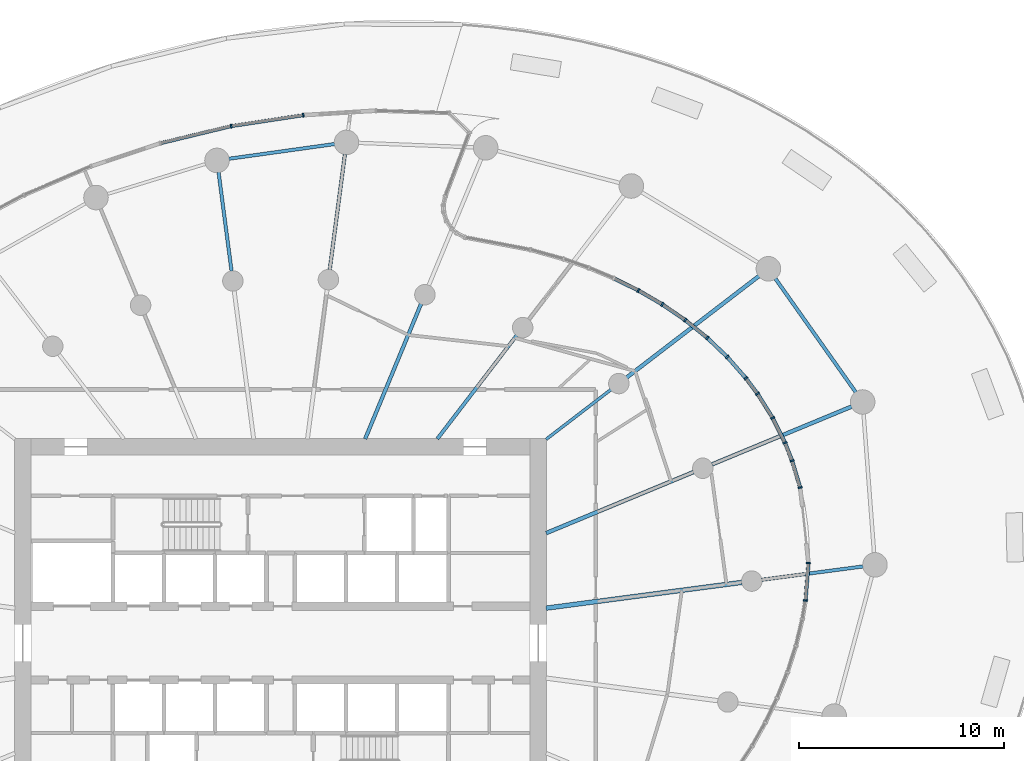
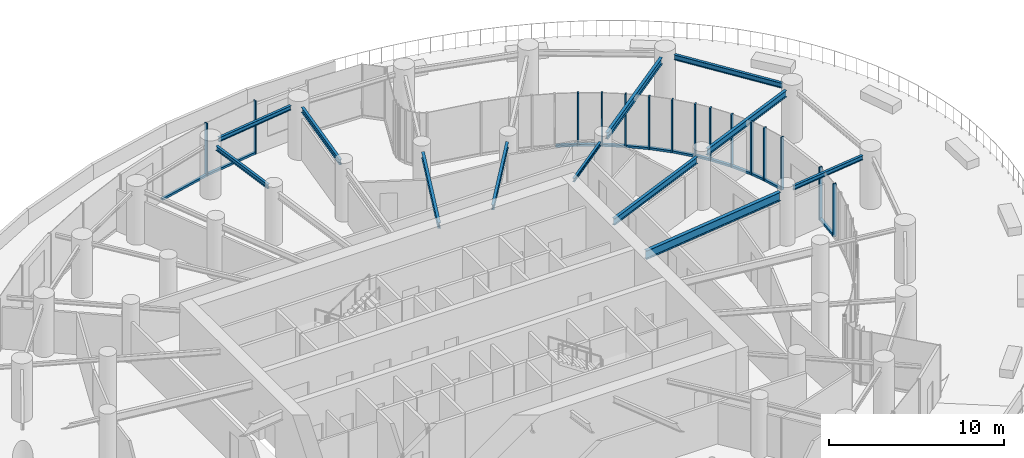
# One storey, part 6 of 24: 29 members, 12 beams, 4 elements without a shape of their own.
"""IFC4 building model written with IfcOpenShell, lengths in metres."""

from ifc_helpers import new_model, si_unit, direction, frame, origin, origin_2d, place, context, subcontext, project, spatial, rectangle, i_section, extrude, source, transform, mapped, material, layer, layer_set, material_profile, profile_set, type_object, element, aggregate, save


model = new_model("IFC4")

# Units and contexts
model_context = context("Model", 3, precision=1e-05, world=origin(), true_north=direction((0.0, 1.0)))
body_context = subcontext(model_context, "Body", "Model", "MODEL_VIEW")
ifc_project = project(units=[si_unit("LENGTHUNIT", "METRE"), si_unit("AREAUNIT", "SQUARE_METRE"), si_unit("VOLUMEUNIT", "CUBIC_METRE"), si_unit("PLANEANGLEUNIT", "RADIAN"), si_unit("MASSUNIT", "GRAM", prefix="KILO")], contexts=[model_context])

# Site, building, storey
site_placement = place(None, origin())
site = spatial("IfcSite", under=ifc_project, at=site_placement, CompositionType="ELEMENT")
building_placement = place(site_placement, origin())
building = spatial("IfcBuilding", under=site, at=building_placement, Name="Spindrift Exchange Tower", CompositionType="ELEMENT")
storey_placement = place(building_placement, frame((0.0, 0.0, 79.800048828125)))
storey = spatial("IfcBuildingStorey", under=building, at=storey_placement, Name="L18", CompositionType="ELEMENT", Elevation=79.800048828125)

# Beams
ifc_material_1 = material(Name="Steel Grade 300", Category="steel")
ifc_material_profile_1 = material_profile(ifc_material_1, i_section(OverallWidth=0.22802734375, OverallDepth=0.60693359375, WebThickness=0.01123046875, FlangeThickness=0.017333984375, FilletRadius=0.013916015625, at=origin_2d()), Name="610UB113")
ifc_profile_set_1 = profile_set([ifc_material_profile_1], Name="Steel Grade 300")
beam_type_1 = type_object("IfcBeamType", Name="Floor Beam 610UB113 Steel Grade 300", PredefinedType="BEAM", material=ifc_profile_set_1)
shared_shape_1 = source(origin(), body_context, "Body", "SweptSolid", [
    extrude(i_section(OverallWidth=0.22802734375, OverallDepth=0.60693359375, WebThickness=0.01123046875, FlangeThickness=0.017333984375, FilletRadius=0.013916015625, at=origin_2d()), origin(), (0.0, 0.0, 1.0), 9.660400390625),
])
beam_1_placement = place(storey_placement, frame((64.980224609375, 49.708984375, 3.396484375), z_axis=(0.99144767089, 0.130504850054, 0.0), x_axis=(-0.130504850054, 0.99144767089, 0.0)))
element("IfcBeam", 1, at=beam_1_placement, inside=storey, type_object=beam_type_1, Name="L18 radial beam R01A", PredefinedType="BEAM", context=body_context, shape_type="MappedRepresentation", body=[
    mapped(shared_shape_1, transform((0.0, 0.0, 0.0), scale=1.0)),
])
ifc_material_profile_2 = material_profile(ifc_material_1, i_section(OverallWidth=0.18994140625, OverallDepth=0.45703125, WebThickness=0.009033203125, FlangeThickness=0.014404296875, FilletRadius=0.013916015625, at=origin_2d()), Name="460UB74.6")
ifc_profile_set_2 = profile_set([ifc_material_profile_2], Name="Steel Grade 300")
beam_type_2 = type_object("IfcBeamType", Name="Floor Beam 460UB74.6 Steel Grade 300", PredefinedType="BEAM", material=ifc_profile_set_2)
shared_shape_2 = source(origin(), body_context, "Body", "SweptSolid", [
    extrude(i_section(OverallWidth=0.18994140625, OverallDepth=0.45703125, WebThickness=0.009033203125, FlangeThickness=0.014404296875, FilletRadius=0.013916015625, at=origin_2d()), origin(), (0.0, 0.0, 1.0), 7.808837890625),
])
beam_2_placement = place(storey_placement, frame((64.9814453125, 53.377197265625, 3.471435546875), z_axis=(0.92387965154, 0.382683145003, 0.0), x_axis=(-0.382683145003, 0.92387965154, 0.0)))
element("IfcBeam", 2, at=beam_2_placement, inside=storey, type_object=beam_type_2, Name="L18 radial beam R02A", PredefinedType="BEAM", context=body_context, shape_type="MappedRepresentation", body=[
    mapped(shared_shape_2, transform((0.0, 0.0, 0.0), scale=1.0)),
])
ifc_material_profile_3 = material_profile(ifc_material_1, i_section(OverallWidth=0.14599609375, OverallDepth=0.251953125, WebThickness=0.006103515625, FlangeThickness=0.008544921875, FilletRadius=0.011962890625, at=origin_2d()), Name="250UB31.4")
ifc_profile_set_3 = profile_set([ifc_material_profile_3], Name="Steel Grade 300")
beam_type_3 = type_object("IfcBeamType", Name="Floor Beam 250UB31.4 Steel Grade 300", PredefinedType="BEAM", material=ifc_profile_set_3)
shared_shape_3 = source(origin(), body_context, "Body", "SweptSolid", [
    extrude(i_section(OverallWidth=0.14599609375, OverallDepth=0.251953125, WebThickness=0.006103515625, FlangeThickness=0.008544921875, FilletRadius=0.011962890625, at=origin_2d()), origin(), (0.0, 0.0, 1.0), 3.99560546875),
])
beam_3_placement = place(storey_placement, frame((64.984130859375, 57.963134765625, 3.573974609375), z_axis=(0.793352561574, 0.608762443851, 0.0), x_axis=(-0.608762443851, 0.793352561574, 0.0)))
element("IfcBeam", 3, at=beam_3_placement, inside=storey, type_object=beam_type_3, Name="L18 radial beam R03A", PredefinedType="BEAM", context=body_context, shape_type="MappedRepresentation", body=[
    mapped(shared_shape_3, transform((0.0, 0.0, 0.0), scale=1.0)),
])
ifc_material_profile_4 = material_profile(ifc_material_1, i_section(OverallWidth=0.172119140625, OverallDepth=0.35888671875, WebThickness=0.008056640625, FlangeThickness=0.012939453125, FilletRadius=0.013916015625, at=origin_2d()), Name="360UB56.7")
ifc_profile_set_4 = profile_set([ifc_material_profile_4], Name="Steel Grade 300")
beam_type_4 = type_object("IfcBeamType", Name="Floor Beam 360UB56.7 Steel Grade 300", PredefinedType="BEAM", material=ifc_profile_set_4)
shared_shape_4 = source(origin(), body_context, "Body", "SweptSolid", [
    extrude(i_section(OverallWidth=0.172119140625, OverallDepth=0.35888671875, WebThickness=0.008056640625, FlangeThickness=0.012939453125, FilletRadius=0.013916015625, at=origin_2d()), origin(), (0.0, 0.0, 1.0), 6.37646484375),
])
beam_4_placement = place(storey_placement, frame((59.6611328125, 57.984130859375, 3.5205078125), z_axis=(0.608766669952, 0.793349318747, 0.0), x_axis=(-0.793349318747, 0.608766669952, 0.0)))
element("IfcBeam", 4, at=beam_4_placement, inside=storey, type_object=beam_type_4, Name="L18 radial beam R04A", PredefinedType="BEAM", context=body_context, shape_type="MappedRepresentation", body=[
    mapped(shared_shape_4, transform((0.0, 0.0, 0.0), scale=1.0)),
])
ifc_material_profile_5 = material_profile(ifc_material_1, i_section(OverallWidth=0.177978515625, OverallDepth=0.406005859375, WebThickness=0.0078125, FlangeThickness=0.0126953125, FilletRadius=0.013916015625, at=origin_2d()), Name="410UB59.7")
ifc_profile_set_5 = profile_set([ifc_material_profile_5], Name="Steel Grade 300")
beam_type_5 = type_object("IfcBeamType", Name="Floor Beam 410UB59.7 Steel Grade 300", PredefinedType="BEAM", material=ifc_profile_set_5)
shared_shape_5 = source(origin(), body_context, "Body", "SweptSolid", [
    extrude(i_section(OverallWidth=0.177978515625, OverallDepth=0.406005859375, WebThickness=0.0078125, FlangeThickness=0.0126953125, FilletRadius=0.013916015625, at=origin_2d()), origin(), (0.0, 0.0, 1.0), 7.150634765625),
])
beam_5_placement = place(storey_placement, frame((56.134521484375, 57.9814453125, 3.4970703125), z_axis=(0.382665393358, 0.923887004306, 0.0), x_axis=(-0.923887004306, 0.382665393358, 0.0)))
element("IfcBeam", 5, at=beam_5_placement, inside=storey, type_object=beam_type_5, Name="L18 radial beam R05A", PredefinedType="BEAM", context=body_context, shape_type="MappedRepresentation", body=[
    mapped(shared_shape_5, transform((0.0, 0.0, 0.0), scale=1.0)),
])
ifc_material_profile_6 = material_profile(ifc_material_1, i_section(OverallWidth=0.1650390625, OverallDepth=0.303955078125, WebThickness=0.006103515625, FlangeThickness=0.01025390625, FilletRadius=0.011474609375, at=origin_2d()), Name="310UB40.4")
ifc_profile_set_6 = profile_set([ifc_material_profile_6], Name="Steel Grade 300")
beam_type_6 = type_object("IfcBeamType", Name="Floor Beam 310UB40.4 Steel Grade 300", PredefinedType="BEAM", material=ifc_profile_set_6)
shared_shape_6 = source(origin(), body_context, "Body", "SweptSolid", [
    extrude(i_section(OverallWidth=0.1650390625, OverallDepth=0.303955078125, WebThickness=0.006103515625, FlangeThickness=0.01025390625, FilletRadius=0.011474609375, at=origin_2d()), origin(), (0.0, 0.0, 1.0), 5.014404296875),
])
beam_6_placement = place(storey_placement, frame((75.509765625, 51.09521484375, 3.5478515625), z_axis=(0.99145015202, 0.13048599948, 0.0), x_axis=(-0.13048599948, 0.99145015202, 0.0)))
element("IfcBeam", 6, at=beam_6_placement, inside=storey, type_object=beam_type_6, Name="L18 radial beam R01B", PredefinedType="BEAM", context=body_context, shape_type="MappedRepresentation", body=[
    mapped(shared_shape_6, transform((0.0, 0.0, 0.0), scale=1.0)),
])
shared_shape_7 = source(origin(), body_context, "Body", "SweptSolid", [
    extrude(i_section(OverallWidth=0.18994140625, OverallDepth=0.45703125, WebThickness=0.009033203125, FlangeThickness=0.014404296875, FilletRadius=0.013916015625, at=origin_2d()), origin(), (0.0, 0.0, 1.0), 7.400146484375),
])
beam_7_placement = place(storey_placement, frame((73.082763671875, 56.73291015625, 3.471435546875), z_axis=(0.923886957755, 0.382665505749, 0.0), x_axis=(-0.382665505749, 0.923886957755, 0.0)))
element("IfcBeam", 7, at=beam_7_placement, inside=storey, type_object=beam_type_2, Name="L18 radial beam R02B", PredefinedType="BEAM", context=body_context, shape_type="MappedRepresentation", body=[
    mapped(shared_shape_7, transform((0.0, 0.0, 0.0), scale=1.0)),
])
shared_shape_8 = source(origin(), body_context, "Body", "SweptSolid", [
    extrude(i_section(OverallWidth=0.18994140625, OverallDepth=0.45703125, WebThickness=0.009033203125, FlangeThickness=0.014404296875, FilletRadius=0.013916015625, at=origin_2d()), origin(), (0.0, 0.0, 1.0), 8.158447265625),
])
beam_8_placement = place(storey_placement, frame((68.91552734375, 60.979736328125, 3.471435546875), z_axis=(0.793358732539, 0.608754401631, 0.0), x_axis=(-0.608754401631, 0.793358732539, 0.0)))
element("IfcBeam", 8, at=beam_8_placement, inside=storey, type_object=beam_type_2, Name="L18 radial beam R03B", PredefinedType="BEAM", context=body_context, shape_type="MappedRepresentation", body=[
    mapped(shared_shape_8, transform((0.0, 0.0, 0.0), scale=1.0)),
])
shared_shape_9 = source(origin(), body_context, "Body", "SweptSolid", [
    extrude(i_section(OverallWidth=0.172119140625, OverallDepth=0.35888671875, WebThickness=0.008056640625, FlangeThickness=0.012939453125, FilletRadius=0.013916015625, at=origin_2d()), origin(), (0.0, 0.0, 1.0), 5.70751953125),
])
beam_9_placement = place(storey_placement, frame((54.40185546875, 66.2431640625, 3.5205078125), z_axis=(0.130507624881, 0.991447305634, 0.0), x_axis=(-0.991447305634, 0.130507624881, 0.0)))
element("IfcBeam", 9, at=beam_9_placement, inside=storey, type_object=beam_type_4, Name="L18 radial beam R06B", PredefinedType="BEAM", context=body_context, shape_type="MappedRepresentation", body=[
    mapped(shared_shape_9, transform((0.0, 0.0, 0.0), scale=1.0)),
])
shared_shape_10 = source(origin(), body_context, "Body", "SweptSolid", [
    extrude(i_section(OverallWidth=0.1650390625, OverallDepth=0.303955078125, WebThickness=0.006103515625, FlangeThickness=0.01025390625, FilletRadius=0.011474609375, at=origin_2d()), origin(), (0.0, 0.0, 1.0), 4.883056640625),
])
beam_10_placement = place(storey_placement, frame((49.606689453125, 66.17919921875, 3.5478515625), z_axis=(-0.130542457964, 0.991442719812, 0.0), x_axis=(-0.991442719812, -0.130542457964, 0.0)))
element("IfcBeam", 10, at=beam_10_placement, inside=storey, type_object=beam_type_6, Name="L18 radial beam R07B", PredefinedType="BEAM", context=body_context, shape_type="MappedRepresentation", body=[
    mapped(shared_shape_10, transform((0.0, 0.0, 0.0), scale=1.0)),
])
ifc_material_profile_7 = material_profile(ifc_material_1, i_section(OverallWidth=0.172119140625, OverallDepth=0.35888671875, WebThickness=0.008056640625, FlangeThickness=0.012939453125, FilletRadius=0.013916015625, at=origin_2d()), Name="360UB56.7")
ifc_profile_set_7 = profile_set([ifc_material_profile_7], Name="Steel Grade 300")
beam_type_7 = type_object("IfcBeamType", Name="Edge Beam 360UB56.7 Steel Grade 300", PredefinedType="SPANDREL", material=ifc_profile_set_7)
shared_shape_11 = source(origin(), body_context, "Body", "SweptSolid", [
    extrude(i_section(OverallWidth=0.172119140625, OverallDepth=0.35888671875, WebThickness=0.008056640625, FlangeThickness=0.012939453125, FilletRadius=0.013916015625, at=origin_2d()), origin(), (0.0, 0.0, 1.0), 6.81787109375),
])
beam_11_placement = place(storey_placement, frame((80.12060546875, 60.260009765625, 3.5205078125), z_axis=(-0.577526426198, 0.816371990604, 0.0), x_axis=(-0.816371990604, -0.577526426198, 0.0)))
element("IfcBeam", 11, at=beam_11_placement, inside=storey, type_object=beam_type_7, Name="L18 edge beam E02", PredefinedType="SPANDREL", context=body_context, shape_type="MappedRepresentation", body=[
    mapped(shared_shape_11, transform((0.0, 0.0, 0.0), scale=1.0)),
])
ifc_material_profile_8 = material_profile(ifc_material_1, i_section(OverallWidth=0.1650390625, OverallDepth=0.303955078125, WebThickness=0.006103515625, FlangeThickness=0.01025390625, FilletRadius=0.011474609375, at=origin_2d()), Name="310UB40.4")
ifc_profile_set_8 = profile_set([ifc_material_profile_8], Name="Steel Grade 300")
beam_type_8 = type_object("IfcBeamType", Name="Edge Beam 310UB40.4 Steel Grade 300", PredefinedType="SPANDREL", material=ifc_profile_set_8)
shared_shape_12 = source(origin(), body_context, "Body", "SweptSolid", [
    extrude(i_section(OverallWidth=0.1650390625, OverallDepth=0.303955078125, WebThickness=0.006103515625, FlangeThickness=0.01025390625, FilletRadius=0.011474609375, at=origin_2d()), origin(), (0.0, 0.0, 1.0), 5.22998046875),
])
beam_12_placement = place(storey_placement, frame((54.64794921875, 72.396728515625, 3.5478515625), z_axis=(-0.990440078597, -0.137943650481, 0.0), x_axis=(0.137943650481, -0.990440078597, 0.0)))
element("IfcBeam", 12, at=beam_12_placement, inside=storey, type_object=beam_type_8, Name="L18 edge beam E06", PredefinedType="SPANDREL", context=body_context, shape_type="MappedRepresentation", body=[
    mapped(shared_shape_12, transform((0.0, 0.0, 0.0), scale=1.0)),
])

# Curtain wall, members
ifc_material_2 = material(Name="Fritted laminated glass with bronze frame", Category="glass")
ifc_layer_1 = layer(ifc_material_2, 0.18994140625)
ifc_layer_set_1 = layer_set([ifc_layer_1], Name="ZONE 2 BRONZE FRITTED WALL")
curtain_wall_type_1 = type_object("IfcCurtainWallType", Name="ZONE 2 BRONZE FRITTED WALL", PredefinedType="NOTDEFINED", material=ifc_layer_set_1)
curtain_wall_1_placement = place(storey_placement, origin())
curtain_wall_1 = element("IfcCurtainWall", 13, at=curtain_wall_1_placement, inside=storey, type_object=curtain_wall_type_1, Name="L18 Zone 2 Bronze Fritted Wall run 1", PredefinedType="NOTDEFINED")
ifc_material_3 = material(Name="Bronze anodised aluminium", Category="aluminium")
ifc_material_profile_9 = material_profile(ifc_material_3, rectangle(XDim=0.074951171875, YDim=0.18994140625, at=origin_2d()), Name="ZONE 2 BRONZE FRITTED WALL MULLION 75X190")
ifc_profile_set_9 = profile_set([ifc_material_profile_9], Name="Bronze anodised aluminium")
member_type_1 = type_object("IfcMemberType", Name="ZONE 2 BRONZE FRITTED WALL MULLION 75X190", PredefinedType="MULLION", material=ifc_profile_set_9)
shared_shape_13 = source(origin(), body_context, "Body", "SweptSolid", [
    extrude(rectangle(XDim=0.074951171875, YDim=0.18994140625, at=origin_2d()), origin(), (0.0, 0.0, 1.0), 3.699951171875),
])
member_1_placement = place(storey_placement, frame((53.111328125, 73.80908203125, 0.0), z_axis=(0.0, 0.0, 1.0), x_axis=(-0.994352151889, -0.106131041805, 0.0)))
member_1 = element("IfcMember", 14, at=member_1_placement, type_object=member_type_1, Name="L18 mullion CW-2.3", PredefinedType="MULLION", context=body_context, shape_type="MappedRepresentation", body=[
    mapped(shared_shape_13, transform((0.0, 0.0, 0.0), scale=1.0)),
])
member_2_placement = place(storey_placement, frame((49.585205078125, 73.27294921875, 0.0), z_axis=(0.0, 0.0, 1.0), x_axis=(-0.981241606743, -0.192782025087, 0.0)))
member_2 = element("IfcMember", 15, at=member_2_placement, type_object=member_type_1, Name="L18 mullion CW-2.4", PredefinedType="MULLION", context=body_context, shape_type="MappedRepresentation", body=[
    mapped(shared_shape_13, transform((0.0, 0.0, 0.0), scale=1.0)),
])
ifc_material_profile_10 = material_profile(ifc_material_3, rectangle(XDim=0.169921875, YDim=0.139892578125, at=origin_2d()), Name="ZONE 2 BRONZE FRITTED WALL TRANSOM 170X140")
ifc_profile_set_10 = profile_set([ifc_material_profile_10], Name="Bronze anodised aluminium")
member_type_2 = type_object("IfcMemberType", Name="ZONE 2 BRONZE FRITTED WALL TRANSOM 170X140", PredefinedType="USERDEFINED", material=ifc_profile_set_10)
shared_shape_14 = source(origin(), body_context, "Body", "SweptSolid", [
    extrude(rectangle(XDim=0.169921875, YDim=0.139892578125, at=origin_2d()), origin(), (0.0, 0.0, 1.0), 3.49169921875),
])
member_3_placement = place(storey_placement, frame((53.07421875, 73.803466796875, 0.070068359375), z_axis=(-0.988635335057, -0.150333543417, 0.0), x_axis=(0.150333543417, -0.988635335057, 0.0)))
member_3 = element("IfcMember", 16, at=member_3_placement, type_object=member_type_2, Name="L18 transom CW-2.3", ObjectType="TRANSOM", PredefinedType="USERDEFINED", context=body_context, shape_type="MappedRepresentation", body=[
    mapped(shared_shape_14, transform((0.0, 0.0, 0.0), scale=1.0)),
])
member_4_placement = place(storey_placement, frame((49.548828125, 73.26416015625, 0.070068359375), z_axis=(-0.972028839937, -0.234861521605, 0.0), x_axis=(0.234861521605, -0.972028839937, 0.0)))
member_4 = element("IfcMember", 17, at=member_4_placement, type_object=member_type_2, Name="L18 transom CW-2.4", ObjectType="TRANSOM", PredefinedType="USERDEFINED", context=body_context, shape_type="MappedRepresentation", body=[
    mapped(shared_shape_14, transform((0.0, 0.0, 0.0), scale=1.0)),
])
aggregate(curtain_wall_1, [member_1, member_3, member_2, member_4])

ifc_layer_2 = layer(ifc_material_2, 0.199951171875)
ifc_layer_set_2 = layer_set([ifc_layer_2], Name="SKY GARDEN BRONZE GLAZED WALL")
curtain_wall_type_2 = type_object("IfcCurtainWallType", Name="SKY GARDEN BRONZE GLAZED WALL", PredefinedType="NOTDEFINED", material=ifc_layer_set_2)
curtain_wall_2_placement = place(storey_placement, origin())
curtain_wall_2 = element("IfcCurtainWall", 18, at=curtain_wall_2_placement, inside=storey, type_object=curtain_wall_type_2, Name="L18 Sky Garden Bronze Glazed Wall run 9", PredefinedType="NOTDEFINED")
ifc_material_profile_11 = material_profile(ifc_material_3, rectangle(XDim=0.0849609375, YDim=0.199951171875, at=origin_2d()), Name="SKY GARDEN BRONZE GLAZED WALL MULLION 85X200")
ifc_profile_set_11 = profile_set([ifc_material_profile_11], Name="Bronze anodised aluminium")
member_type_3 = type_object("IfcMemberType", Name="SKY GARDEN BRONZE GLAZED WALL MULLION 85X200", PredefinedType="MULLION", material=ifc_profile_set_11)
shared_shape_15 = source(origin(), body_context, "Body", "SweptSolid", [
    extrude(rectangle(XDim=0.0849609375, YDim=0.199951171875, at=origin_2d()), origin(), (0.0, 0.0, 1.0), 3.699951171875),
])
member_5_placement = place(storey_placement, frame((77.658447265625, 50.083984375, 0.0), z_axis=(0.0, 0.0, 1.0), x_axis=(0.122488599766, 0.992469920414, 0.0)))
member_5 = element("IfcMember", 19, at=member_5_placement, type_object=member_type_3, Name="L18 mullion CW-G.51", PredefinedType="MULLION", context=body_context, shape_type="MappedRepresentation", body=[
    mapped(shared_shape_15, transform((0.0, 0.0, 0.0), scale=1.0)),
])
member_6_placement = place(storey_placement, frame((77.804443359375, 51.919189453125, 0.0), z_axis=(0.0, 0.0, 1.0), x_axis=(-0.015074396303, 0.999886374833, 0.0)))
member_6 = element("IfcMember", 20, at=member_6_placement, type_object=member_type_3, Name="L18 mullion CW-G.52", PredefinedType="MULLION", context=body_context, shape_type="MappedRepresentation", body=[
    mapped(shared_shape_15, transform((0.0, 0.0, 0.0), scale=1.0)),
])

curtain_wall_3_placement = place(storey_placement, origin())
curtain_wall_3 = element("IfcCurtainWall", 21, at=curtain_wall_3_placement, inside=storey, type_object=curtain_wall_type_2, Name="L18 Sky Garden Bronze Glazed Wall run 10", PredefinedType="NOTDEFINED")
member_7_placement = place(storey_placement, frame((77.39892578125, 55.607177734375, 0.0), z_axis=(0.0, 0.0, 1.0), x_axis=(-0.199418618905, 0.97991439138, 0.0)))
member_7 = element("IfcMember", 22, at=member_7_placement, type_object=member_type_3, Name="L18 mullion CW-G.54", PredefinedType="MULLION", context=body_context, shape_type="MappedRepresentation", body=[
    mapped(shared_shape_15, transform((0.0, 0.0, 0.0), scale=1.0)),
])
member_8_placement = place(storey_placement, frame((77.006591796875, 56.911865234375, 0.0), z_axis=(0.0, 0.0, 1.0), x_axis=(-0.328138069979, 0.944629772467, 0.0)))
member_8 = element("IfcMember", 23, at=member_8_placement, type_object=member_type_3, Name="L18 mullion CW-G.55", PredefinedType="MULLION", context=body_context, shape_type="MappedRepresentation", body=[
    mapped(shared_shape_15, transform((0.0, 0.0, 0.0), scale=1.0)),
])
member_9_placement = place(storey_placement, frame((76.657470703125, 57.794677734375, 0.0), z_axis=(0.0, 0.0, 1.0), x_axis=(-0.406767544001, 0.913531699038, 0.0)))
member_9 = element("IfcMember", 24, at=member_9_placement, type_object=member_type_3, Name="L18 mullion CW-G.56", PredefinedType="MULLION", context=body_context, shape_type="MappedRepresentation", body=[
    mapped(shared_shape_15, transform((0.0, 0.0, 0.0), scale=1.0)),
])
member_10_placement = place(storey_placement, frame((76.05126953125, 59.014892578125, 0.0), z_axis=(0.0, 0.0, 1.0), x_axis=(-0.488592825437, 0.872511920223, 0.0)))
member_10 = element("IfcMember", 25, at=member_10_placement, type_object=member_type_3, Name="L18 mullion CW-G.57", PredefinedType="MULLION", context=body_context, shape_type="MappedRepresentation", body=[
    mapped(shared_shape_15, transform((0.0, 0.0, 0.0), scale=1.0)),
])
member_11_placement = place(storey_placement, frame((75.314697265625, 60.18994140625, 0.0), z_axis=(0.0, 0.0, 1.0), x_axis=(-0.565150072041, 0.824988118746, 0.0)))
member_11 = element("IfcMember", 26, at=member_11_placement, type_object=member_type_3, Name="L18 mullion CW-G.58", PredefinedType="MULLION", context=body_context, shape_type="MappedRepresentation", body=[
    mapped(shared_shape_15, transform((0.0, 0.0, 0.0), scale=1.0)),
])
member_12_placement = place(storey_placement, frame((74.748291015625, 60.948486328125, 0.0), z_axis=(0.0, 0.0, 1.0), x_axis=(-0.629351833192, 0.777120499059, 0.0)))
member_12 = element("IfcMember", 27, at=member_12_placement, type_object=member_type_3, Name="L18 mullion CW-G.59", PredefinedType="MULLION", context=body_context, shape_type="MappedRepresentation", body=[
    mapped(shared_shape_15, transform((0.0, 0.0, 0.0), scale=1.0)),
])

curtain_wall_4_placement = place(storey_placement, origin())
curtain_wall_4 = element("IfcCurtainWall", 28, at=curtain_wall_4_placement, inside=storey, type_object=curtain_wall_type_2, Name="L18 Sky Garden Bronze Glazed Wall run 11", PredefinedType="NOTDEFINED")
member_13_placement = place(storey_placement, frame((73.83642578125, 61.98828125, 0.0), z_axis=(0.0, 0.0, 1.0), x_axis=(-0.691982404617, 0.721914365906, 0.0)))
member_13 = element("IfcMember", 29, at=member_13_placement, type_object=member_type_3, Name="L18 mullion CW-G.60", PredefinedType="MULLION", context=body_context, shape_type="MappedRepresentation", body=[
    mapped(shared_shape_15, transform((0.0, 0.0, 0.0), scale=1.0)),
])
member_14_placement = place(storey_placement, frame((72.853759765625, 62.926513671875, 0.0), z_axis=(0.0, 0.0, 1.0), x_axis=(-0.751396075913, 0.659851450785, 0.0)))
member_14 = element("IfcMember", 30, at=member_14_placement, type_object=member_type_3, Name="L18 mullion CW-G.61", PredefinedType="MULLION", context=body_context, shape_type="MappedRepresentation", body=[
    mapped(shared_shape_15, transform((0.0, 0.0, 0.0), scale=1.0)),
])
member_15_placement = place(storey_placement, frame((71.78466796875, 63.789306640625, 0.0), z_axis=(0.0, 0.0, 1.0), x_axis=(-0.802352489171, 0.59685046965, 0.0)))
member_15 = element("IfcMember", 31, at=member_15_placement, type_object=member_type_3, Name="L18 mullion CW-G.62", PredefinedType="MULLION", context=body_context, shape_type="MappedRepresentation", body=[
    mapped(shared_shape_15, transform((0.0, 0.0, 0.0), scale=1.0)),
])
member_16_placement = place(storey_placement, frame((70.65869140625, 64.56005859375, 0.0), z_axis=(0.0, 0.0, 1.0), x_axis=(-0.845360055774, 0.534196945052, 0.0)))
member_16 = element("IfcMember", 32, at=member_16_placement, type_object=member_type_3, Name="L18 mullion CW-G.63", PredefinedType="MULLION", context=body_context, shape_type="MappedRepresentation", body=[
    mapped(shared_shape_15, transform((0.0, 0.0, 0.0), scale=1.0)),
])
member_17_placement = place(storey_placement, frame((69.489501953125, 65.239990234375, 0.0), z_axis=(0.0, 0.0, 1.0), x_axis=(-0.880985656405, 0.473142973328, 0.0)))
member_17 = element("IfcMember", 33, at=member_17_placement, type_object=member_type_3, Name="L18 mullion CW-G.64", PredefinedType="MULLION", context=body_context, shape_type="MappedRepresentation", body=[
    mapped(shared_shape_15, transform((0.0, 0.0, 0.0), scale=1.0)),
])

# Member
ifc_material_profile_12 = material_profile(ifc_material_3, rectangle(XDim=0.179931640625, YDim=0.14990234375, at=origin_2d()), Name="SKY GARDEN BRONZE GLAZED WALL TRANSOM 180X150")
ifc_profile_set_12 = profile_set([ifc_material_profile_12], Name="Bronze anodised aluminium")
member_type_4 = type_object("IfcMemberType", Name="SKY GARDEN BRONZE GLAZED WALL TRANSOM 180X150", PredefinedType="USERDEFINED", material=ifc_profile_set_12)
shared_shape_16 = source(origin(), body_context, "Body", "SweptSolid", [
    extrude(rectangle(XDim=0.179931640625, YDim=0.14990234375, at=origin_2d()), origin(), (0.0, 0.0, 1.0), 1.756103515625),
])
member_18_placement = place(storey_placement, frame((77.661865234375, 50.126220703125, 0.074951171875), z_axis=(0.079247882329, 0.996854940875, 0.0), x_axis=(-0.996854940875, 0.079247882329, 0.0)))
member_18 = element("IfcMember", 34, at=member_18_placement, type_object=member_type_4, Name="L18 transom CW-G.51", ObjectType="TRANSOM", PredefinedType="USERDEFINED", context=body_context, shape_type="MappedRepresentation", body=[
    mapped(shared_shape_16, transform((0.0, 0.0, 0.0), scale=1.0)),
])

aggregate(curtain_wall_2, [member_5, member_18, member_6])

shared_shape_17 = source(origin(), body_context, "Body", "SweptSolid", [
    extrude(rectangle(XDim=0.179931640625, YDim=0.14990234375, at=origin_2d()), origin(), (0.0, 0.0, 1.0), 1.27734375),
])
member_19_placement = place(storey_placement, frame((77.38671875, 55.647705078125, 0.074951171875), z_axis=(-0.287821257999, 0.957684145971, 0.0), x_axis=(-0.957684145971, -0.287821257999, 0.0)))
member_19 = element("IfcMember", 35, at=member_19_placement, type_object=member_type_4, Name="L18 transom CW-G.54", ObjectType="TRANSOM", PredefinedType="USERDEFINED", context=body_context, shape_type="MappedRepresentation", body=[
    mapped(shared_shape_17, transform((0.0, 0.0, 0.0), scale=1.0)),
])

shared_shape_18 = source(origin(), body_context, "Body", "SweptSolid", [
    extrude(rectangle(XDim=0.179931640625, YDim=0.14990234375, at=origin_2d()), origin(), (0.0, 0.0, 1.0), 0.8642578125),
])
member_20_placement = place(storey_placement, frame((76.990966796875, 56.951416015625, 0.074951171875), z_axis=(-0.367783873134, 0.929911298277, 0.0), x_axis=(-0.929911298277, -0.367783873134, 0.0)))
member_20 = element("IfcMember", 36, at=member_20_placement, type_object=member_type_4, Name="L18 transom CW-G.55", ObjectType="TRANSOM", PredefinedType="USERDEFINED", context=body_context, shape_type="MappedRepresentation", body=[
    mapped(shared_shape_18, transform((0.0, 0.0, 0.0), scale=1.0)),
])

shared_shape_19 = source(origin(), body_context, "Body", "SweptSolid", [
    extrude(rectangle(XDim=0.179931640625, YDim=0.14990234375, at=origin_2d()), origin(), (0.0, 0.0, 1.0), 1.277587890625),
])
member_21_placement = place(storey_placement, frame((76.638671875, 57.832763671875, 0.074951171875), z_axis=(-0.445071994623, 0.895494790383, 0.0), x_axis=(-0.895494790383, -0.445071994623, 0.0)))
member_21 = element("IfcMember", 37, at=member_21_placement, type_object=member_type_4, Name="L18 transom CW-G.56", ObjectType="TRANSOM", PredefinedType="USERDEFINED", context=body_context, shape_type="MappedRepresentation", body=[
    mapped(shared_shape_19, transform((0.0, 0.0, 0.0), scale=1.0)),
])

shared_shape_20 = source(origin(), body_context, "Body", "SweptSolid", [
    extrude(rectangle(XDim=0.179931640625, YDim=0.14990234375, at=origin_2d()), origin(), (0.0, 0.0, 1.0), 1.3017578125),
])
member_22_placement = place(storey_placement, frame((76.028564453125, 59.051025390625, 0.074951171875), z_axis=(-0.530976417603, 0.847386596513, 0.0), x_axis=(-0.847386596513, -0.530976417603, 0.0)))
member_22 = element("IfcMember", 38, at=member_22_placement, type_object=member_type_4, Name="L18 transom CW-G.57", ObjectType="TRANSOM", PredefinedType="USERDEFINED", context=body_context, shape_type="MappedRepresentation", body=[
    mapped(shared_shape_20, transform((0.0, 0.0, 0.0), scale=1.0)),
])

shared_shape_21 = source(origin(), body_context, "Body", "SweptSolid", [
    extrude(rectangle(XDim=0.179931640625, YDim=0.14990234375, at=origin_2d()), origin(), (0.0, 0.0, 1.0), 0.86181640625),
])
member_23_placement = place(storey_placement, frame((75.289306640625, 60.22412109375, 0.074951171875), z_axis=(-0.598366842088, 0.80122226772, 0.0), x_axis=(-0.80122226772, -0.598366842088, 0.0)))
member_23 = element("IfcMember", 39, at=member_23_placement, type_object=member_type_4, Name="L18 transom CW-G.58", ObjectType="TRANSOM", PredefinedType="USERDEFINED", context=body_context, shape_type="MappedRepresentation", body=[
    mapped(shared_shape_21, transform((0.0, 0.0, 0.0), scale=1.0)),
])

shared_shape_22 = source(origin(), body_context, "Body", "SweptSolid", [
    extrude(rectangle(XDim=0.179931640625, YDim=0.14990234375, at=origin_2d()), origin(), (0.0, 0.0, 1.0), 1.2978515625),
])
member_24_placement = place(storey_placement, frame((74.72021484375, 60.98046875, 0.074951171875), z_axis=(-0.65931658203, 0.751865443188, 0.0), x_axis=(-0.751865443188, -0.65931658203, 0.0)))
member_24 = element("IfcMember", 40, at=member_24_placement, type_object=member_type_4, Name="L18 transom CW-G.59", ObjectType="TRANSOM", PredefinedType="USERDEFINED", context=body_context, shape_type="MappedRepresentation", body=[
    mapped(shared_shape_22, transform((0.0, 0.0, 0.0), scale=1.0)),
])

aggregate(curtain_wall_3, [member_7, member_19, member_8, member_20, member_9, member_21, member_10, member_22, member_11, member_23, member_12, member_24])

shared_shape_23 = source(origin(), body_context, "Body", "SweptSolid", [
    extrude(rectangle(XDim=0.179931640625, YDim=0.14990234375, at=origin_2d()), origin(), (0.0, 0.0, 1.0), 1.273681640625),
])
member_25_placement = place(storey_placement, frame((73.8056640625, 62.017578125, 0.074951171875), z_axis=(-0.723211923263, 0.690626175329, 0.0), x_axis=(-0.690626175329, -0.723211923263, 0.0)))
member_25 = element("IfcMember", 41, at=member_25_placement, type_object=member_type_4, Name="L18 transom CW-G.60", ObjectType="TRANSOM", PredefinedType="USERDEFINED", context=body_context, shape_type="MappedRepresentation", body=[
    mapped(shared_shape_23, transform((0.0, 0.0, 0.0), scale=1.0)),
])

shared_shape_24 = source(origin(), body_context, "Body", "SweptSolid", [
    extrude(rectangle(XDim=0.179931640625, YDim=0.14990234375, at=origin_2d()), origin(), (0.0, 0.0, 1.0), 1.28857421875),
])
member_26_placement = place(storey_placement, frame((72.82080078125, 62.953369140625, 0.074951171875), z_axis=(-0.77831148892, 0.627878353039, 0.0), x_axis=(-0.627878353039, -0.77831148892, 0.0)))
member_26 = element("IfcMember", 42, at=member_26_placement, type_object=member_type_4, Name="L18 transom CW-G.61", ObjectType="TRANSOM", PredefinedType="USERDEFINED", context=body_context, shape_type="MappedRepresentation", body=[
    mapped(shared_shape_24, transform((0.0, 0.0, 0.0), scale=1.0)),
])

shared_shape_25 = source(origin(), body_context, "Body", "SweptSolid", [
    extrude(rectangle(XDim=0.179931640625, YDim=0.14990234375, at=origin_2d()), origin(), (0.0, 0.0, 1.0), 1.279541015625),
])
member_27_placement = place(storey_placement, frame((71.74951171875, 63.813232421875, 0.074951171875), z_axis=(-0.825237052571, 0.564786514592, 0.0), x_axis=(-0.564786514592, -0.825237052571, 0.0)))
member_27 = element("IfcMember", 43, at=member_27_placement, type_object=member_type_4, Name="L18 transom CW-G.62", ObjectType="TRANSOM", PredefinedType="USERDEFINED", context=body_context, shape_type="MappedRepresentation", body=[
    mapped(shared_shape_25, transform((0.0, 0.0, 0.0), scale=1.0)),
])

shared_shape_26 = source(origin(), body_context, "Body", "SweptSolid", [
    extrude(rectangle(XDim=0.179931640625, YDim=0.14990234375, at=origin_2d()), origin(), (0.0, 0.0, 1.0), 1.267578125),
])
member_28_placement = place(storey_placement, frame((70.621826171875, 64.581298828125, 0.074951171875), z_axis=(-0.864365080461, 0.502864800598, 0.0), x_axis=(-0.502864800598, -0.864365080461, 0.0)))
member_28 = element("IfcMember", 44, at=member_28_placement, type_object=member_type_4, Name="L18 transom CW-G.63", ObjectType="TRANSOM", PredefinedType="USERDEFINED", context=body_context, shape_type="MappedRepresentation", body=[
    mapped(shared_shape_26, transform((0.0, 0.0, 0.0), scale=1.0)),
])

shared_shape_27 = source(origin(), body_context, "Body", "SweptSolid", [
    extrude(rectangle(XDim=0.179931640625, YDim=0.14990234375, at=origin_2d()), origin(), (0.0, 0.0, 1.0), 1.25244140625),
])
member_29_placement = place(storey_placement, frame((69.451416015625, 65.259033203125, 0.074951171875), z_axis=(-0.89659955975, 0.442842217337, 0.0), x_axis=(-0.442842217337, -0.89659955975, 0.0)))
member_29 = element("IfcMember", 45, at=member_29_placement, type_object=member_type_4, Name="L18 transom CW-G.64", ObjectType="TRANSOM", PredefinedType="USERDEFINED", context=body_context, shape_type="MappedRepresentation", body=[
    mapped(shared_shape_27, transform((0.0, 0.0, 0.0), scale=1.0)),
])

aggregate(curtain_wall_4, [member_13, member_25, member_14, member_26, member_15, member_27, member_16, member_28, member_17, member_29])

save(model, "model.ifc")
